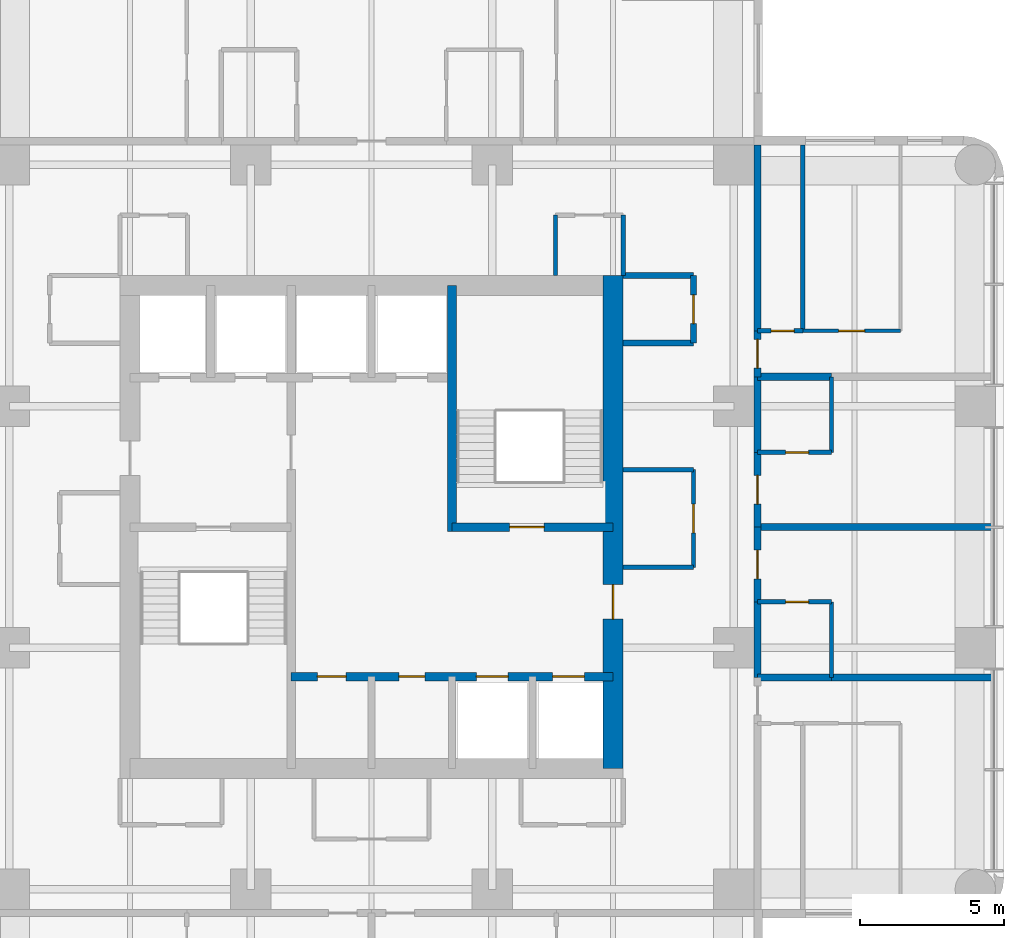
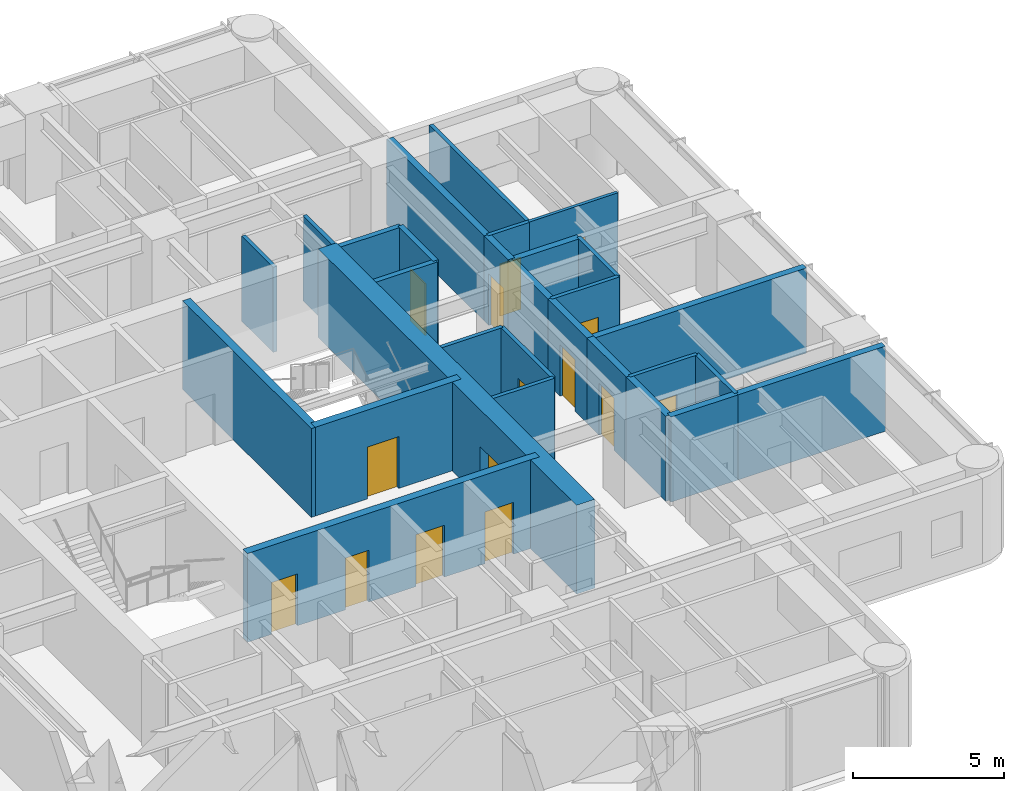
# One storey, part 8 of 11: 29 walls, 15 doors, 15 openings.
"""IFC4 building model written with IfcOpenShell, lengths in metres."""

from ifc_helpers import new_model, si_unit, direction, frame, frame_2d, origin, place, context, subcontext, project, spatial, rectangle, extrude, material, layer, layer_set, type_object, element, fill, save


model = new_model("IFC4")

# Units and contexts
model_context = context("Model", 3, precision=1e-05, world=origin(), true_north=direction((0.0, 1.0)))
body_context = subcontext(model_context, "Body", "Model", "MODEL_VIEW")
ifc_project = project(units=[si_unit("LENGTHUNIT", "METRE"), si_unit("AREAUNIT", "SQUARE_METRE"), si_unit("VOLUMEUNIT", "CUBIC_METRE"), si_unit("PLANEANGLEUNIT", "RADIAN"), si_unit("MASSUNIT", "GRAM", prefix="KILO")], contexts=[model_context])

# Site, building, storey
site_placement = place(None, origin())
site = spatial("IfcSite", under=ifc_project, at=site_placement, CompositionType="ELEMENT")
building_placement = place(site_placement, origin())
building = spatial("IfcBuilding", under=site, at=building_placement, Name="Torre Alcanfor", CompositionType="ELEMENT")
storey_placement = place(building_placement, frame((0.0, 0.0, 230.10009765625)))
storey = spatial("IfcBuildingStorey", under=building, at=storey_placement, Name="L60", CompositionType="ELEMENT", Elevation=230.10009765625)

# Wall, opening, door
ifc_material_1 = material(Name="Concrete block masonry, hollow blocks NMX-C-404 9 MPa", Category="masonry")
ifc_layer_1 = layer(ifc_material_1, 0.25)
ifc_layer_set_1 = layer_set([ifc_layer_1], Name="Apartment entrance wall 250 EI 60")
wall_type_1 = type_object("IfcWallType", Name="Apartment entrance wall 250 EI 60", PredefinedType="PARTITIONING", material=ifc_layer_set_1)
wall_1_placement = place(storey_placement, frame((42.824951171875, 32.0, 0.0), z_axis=(0.0, 0.0, 1.0), x_axis=(0.0, -1.0, 0.0)))
wall_1 = element("IfcWall", 1, at=wall_1_placement, inside=storey, type_object=wall_type_1, Name="Partition L60-CORR / L60-E1A-STUDIO", PredefinedType="PARTITIONING", context=body_context, shape_type="SweptSolid", body=[
    extrude(rectangle(XDim=2.60009765625, YDim=0.25, at=frame_2d((1.300048828125, 0.0))), origin(), (0.0, 0.0, 1.0), 3.449951171875),
])
opening_1_placement = place(wall_1_placement, frame((0.800048828125, 0.0, 0.0)))
opening_1 = element("IfcOpeningElement", 2, at=opening_1_placement, cuts=wall_1, Name="Opening D-A1", PredefinedType="OPENING", context=body_context, shape_type="SweptSolid", body=[
    extrude(rectangle(XDim=1.0, YDim=2.10009765625, at=frame_2d((0.5, 1.050048828125))), frame((0.0, 0.135009765625, 0.0), z_axis=(0.0, -1.0, 0.0), x_axis=(1.0, 0.0, 0.0)), (0.0, 0.0, 1.0), 0.27001953125),
])
ifc_material_2 = material(Name="Galvanised steel sheet ASTM A653", Category="steel")
door_type_1 = type_object("IfcDoorType", Name="Apartment entrance door FD60 1000x2100", OperationType="SINGLE_SWING_LEFT", PredefinedType="DOOR", material=ifc_material_2)
door_1_placement = place(opening_1_placement, origin())
door_1 = element("IfcDoor", 3, at=door_1_placement, inside=storey, type_object=door_type_1, Name="Apartment entrance L60-E1A", OperationType="SINGLE_SWING_LEFT", OverallHeight=2.10009765625, OverallWidth=1.0, PredefinedType="DOOR", context=body_context, shape_type="SweptSolid", body=[
    extrude(rectangle(XDim=1.0, YDim=2.10009765625, at=frame_2d((0.5, 1.050048828125))), frame((0.0, 0.02490234375, 0.0), z_axis=(0.0, -1.0, 0.0), x_axis=(1.0, 0.0, 0.0)), (0.0, 0.0, 1.0), 0.050048828125),
])
fill(opening_1, door_1)

# Wall
wall_2_placement = place(storey_placement, frame((42.824951171875, 34.62890625, 0.0), z_axis=(0.0, 0.0, 1.0), x_axis=(0.0, -1.0, 0.0)))
element("IfcWall", 4, at=wall_2_placement, inside=storey, type_object=wall_type_1, Name="Partition L60-CORR / L60-E1A-BATH", PredefinedType="PARTITIONING", context=body_context, shape_type="SweptSolid", body=[
    extrude(rectangle(XDim=2.62890625, YDim=0.25, at=frame_2d((1.314453125, 0.0))), origin(), (0.0, 0.0, 1.0), 3.449951171875),
])

# Wall, opening, door
wall_3_placement = place(storey_placement, frame((42.824951171875, 36.22900390625, 0.0), z_axis=(0.0, 0.0, 1.0), x_axis=(0.0, -1.0, 0.0)))
wall_3 = element("IfcWall", 5, at=wall_3_placement, inside=storey, type_object=wall_type_1, Name="Partition L60-CORR / L60-E1B-LIVING", PredefinedType="PARTITIONING", context=body_context, shape_type="SweptSolid", body=[
    extrude(rectangle(XDim=1.60009765625, YDim=0.25, at=frame_2d((0.800048828125, 0.0))), origin(), (0.0, 0.0, 1.0), 3.449951171875),
])
opening_2_placement = place(wall_3_placement, frame((0.300048828125, 0.0, 0.0)))
opening_2 = element("IfcOpeningElement", 6, at=opening_2_placement, cuts=wall_3, Name="Opening D-A1", PredefinedType="OPENING", context=body_context, shape_type="SweptSolid", body=[
    extrude(rectangle(XDim=1.0, YDim=2.10009765625, at=frame_2d((0.5, 1.050048828125))), frame((0.0, 0.135009765625, 0.0), z_axis=(0.0, -1.0, 0.0), x_axis=(1.0, 0.0, 0.0)), (0.0, 0.0, 1.0), 0.27001953125),
])
door_2_placement = place(opening_2_placement, origin())
door_2 = element("IfcDoor", 7, at=door_2_placement, inside=storey, type_object=door_type_1, Name="Apartment entrance L60-E1B", OperationType="SINGLE_SWING_LEFT", OverallHeight=2.10009765625, OverallWidth=1.0, PredefinedType="DOOR", context=body_context, shape_type="SweptSolid", body=[
    extrude(rectangle(XDim=1.0, YDim=2.10009765625, at=frame_2d((0.5, 1.050048828125))), frame((0.0, 0.02490234375, 0.0), z_axis=(0.0, -1.0, 0.0), x_axis=(1.0, 0.0, 0.0)), (0.0, 0.0, 1.0), 0.050048828125),
])
fill(opening_2, door_2)

# Wall
wall_4_placement = place(storey_placement, frame((42.824951171875, 42.699951171875, 0.0), z_axis=(0.0, 0.0, 1.0), x_axis=(0.0, -1.0, 0.0)))
element("IfcWall", 8, at=wall_4_placement, inside=storey, type_object=wall_type_1, Name="Partition L60-CORR / L60-E1B-BATH", PredefinedType="PARTITIONING", context=body_context, shape_type="SweptSolid", body=[
    extrude(rectangle(XDim=6.470947265625, YDim=0.25, at=frame_2d((3.2353515625, 0.0))), origin(), (0.0, 0.0, 1.0), 3.449951171875),
])

# Wall, opening, door
wall_5_placement = place(storey_placement, frame((42.824951171875, 29.39990234375, 0.0), z_axis=(0.0, 0.0, 1.0), x_axis=(0.0, -1.0, 0.0)))
wall_5 = element("IfcWall", 9, at=wall_5_placement, inside=storey, type_object=wall_type_1, Name="Partition L60-CORR / L60-E2A-STUDIO", PredefinedType="PARTITIONING", context=body_context, shape_type="SweptSolid", body=[
    extrude(rectangle(XDim=2.599853515625, YDim=0.25, at=frame_2d((1.2998046875, 0.0))), origin(), (0.0, 0.0, 1.0), 3.449951171875),
])
opening_3_placement = place(wall_5_placement, frame((0.800048828125, 0.0, 0.0)))
opening_3 = element("IfcOpeningElement", 10, at=opening_3_placement, cuts=wall_5, Name="Opening D-A1", PredefinedType="OPENING", context=body_context, shape_type="SweptSolid", body=[
    extrude(rectangle(XDim=1.0, YDim=2.10009765625, at=frame_2d((0.5, 1.050048828125))), frame((0.0, 0.135009765625, 0.0), z_axis=(0.0, -1.0, 0.0), x_axis=(1.0, 0.0, 0.0)), (0.0, 0.0, 1.0), 0.27001953125),
])
door_3_placement = place(opening_3_placement, origin())
door_3 = element("IfcDoor", 11, at=door_3_placement, inside=storey, type_object=door_type_1, Name="Apartment entrance L60-E2A", OperationType="SINGLE_SWING_LEFT", OverallHeight=2.10009765625, OverallWidth=1.0, PredefinedType="DOOR", context=body_context, shape_type="SweptSolid", body=[
    extrude(rectangle(XDim=1.0, YDim=2.10009765625, at=frame_2d((0.5, 1.050048828125))), frame((0.0, 0.02490234375, 0.0), z_axis=(0.0, -1.0, 0.0), x_axis=(1.0, 0.0, 0.0)), (0.0, 0.0, 1.0), 0.050048828125),
])
fill(opening_3, door_3)

# Wall
wall_6_placement = place(storey_placement, frame((42.824951171875, 26.800048828125, 0.0), z_axis=(0.0, 0.0, 1.0), x_axis=(0.0, -1.0, 0.0)))
element("IfcWall", 12, at=wall_6_placement, inside=storey, type_object=wall_type_1, Name="Partition L60-CORR / L60-E2A-BATH", PredefinedType="PARTITIONING", context=body_context, shape_type="SweptSolid", body=[
    extrude(rectangle(XDim=2.629150390625, YDim=0.25, at=frame_2d((1.314453125, 0.0))), origin(), (0.0, 0.0, 1.0), 3.449951171875),
])

# Wall, opening, door
ifc_material_3 = material(Name="Gypsum board on steel studs", Category="steel")
ifc_layer_2 = layer(ifc_material_3, 0.1201171875)
ifc_layer_set_2 = layer_set([ifc_layer_2], Name="Apartment partition 120")
wall_type_2 = type_object("IfcWallType", Name="Apartment partition 120", PredefinedType="PARTITIONING", material=ifc_layer_set_2)
wall_7_placement = place(storey_placement, frame((44.39990234375, 36.22900390625, 0.0), z_axis=(0.0, 0.0, 1.0), x_axis=(1.0, 0.0, 0.0)))
wall_7 = element("IfcWall", 13, at=wall_7_placement, inside=storey, type_object=wall_type_2, Name="Partition L60-E1B-LIVING / L60-E1B-MASTER", PredefinedType="PARTITIONING", context=body_context, shape_type="SweptSolid", body=[
    extrude(rectangle(XDim=3.400146484375, YDim=0.1201171875, at=frame_2d((1.7001953125, 0.0))), origin(), (0.0, 0.0, 1.0), 3.449951171875),
])
opening_4_placement = place(wall_7_placement, frame((1.25, 0.0, 0.0)))
opening_4 = element("IfcOpeningElement", 14, at=opening_4_placement, cuts=wall_7, Name="Opening D-R1", PredefinedType="OPENING", context=body_context, shape_type="SweptSolid", body=[
    extrude(rectangle(XDim=0.89990234375, YDim=2.10009765625, at=frame_2d((0.449951171875, 1.050048828125))), frame((0.0, 0.070068359375, 0.0), z_axis=(0.0, -1.0, 0.0), x_axis=(1.0, 0.0, 0.0)), (0.0, 0.0, 1.0), 0.14013671875),
])
ifc_material_4 = material(Name="Timber", Category="wood")
door_type_2 = type_object("IfcDoorType", Name="Internal door 900x2100", OperationType="SINGLE_SWING_LEFT", PredefinedType="DOOR", material=ifc_material_4)
door_4_placement = place(opening_4_placement, origin())
door_4 = element("IfcDoor", 15, at=door_4_placement, inside=storey, type_object=door_type_2, Name="Door L60-E1B master", OperationType="SINGLE_SWING_LEFT", OverallHeight=2.10009765625, OverallWidth=0.89990234375, PredefinedType="DOOR", context=body_context, shape_type="SweptSolid", body=[
    extrude(rectangle(XDim=0.89990234375, YDim=2.10009765625, at=frame_2d((0.449951171875, 1.050048828125))), frame((0.0, 0.02490234375, 0.0), z_axis=(0.0, -1.0, 0.0), x_axis=(1.0, 0.0, 0.0)), (0.0, 0.0, 1.0), 0.050048828125),
])
fill(opening_4, door_4)

# Wall, openings, doors
ifc_material_5 = material(Name="Concrete f'c 70 MPa", Category="concrete")
ifc_layer_3 = layer(ifc_material_5, 0.300048828125)
ifc_layer_set_3 = layer_set([ifc_layer_3], Name="Core inner wall 300 f'c70")
wall_type_3 = type_object("IfcWallType", Name="Core inner wall 300 f'c70", PredefinedType="SHEAR", material=ifc_layer_set_3)
wall_8_placement = place(storey_placement, frame((26.60009765625, 24.199951171875, 0.0), z_axis=(0.0, 0.0, 1.0), x_axis=(1.0, 0.0, 0.0)))
wall_8 = element("IfcWall", 16, at=wall_8_placement, inside=storey, type_object=wall_type_3, Name="Core wall Y242 L60", PredefinedType="SHEAR", context=body_context, shape_type="SweptSolid", body=[
    extrude(rectangle(XDim=11.199951171875, YDim=0.300048828125, at=frame_2d((5.60009765625, 0.0))), origin(), (0.0, 0.0, 1.0), 3.599853515625),
])
opening_5_placement = place(wall_8_placement, frame((0.91259765625, 0.0, 0.0)))
opening_5 = element("IfcOpeningElement", 17, at=opening_5_placement, cuts=wall_8, Name="Opening D-K1", PredefinedType="OPENING", context=body_context, shape_type="SweptSolid", body=[
    extrude(rectangle(XDim=1.0, YDim=2.10009765625, at=frame_2d((0.5, 1.050048828125))), frame((0.0, 0.159912109375, 0.0), z_axis=(0.0, -1.0, 0.0), x_axis=(1.0, 0.0, 0.0)), (0.0, 0.0, 1.0), 0.320068359375),
])
opening_6_placement = place(wall_8_placement, frame((3.75, 0.0, 0.0)))
opening_6 = element("IfcOpeningElement", 18, at=opening_6_placement, cuts=wall_8, Name="Opening D-Q1", PredefinedType="OPENING", context=body_context, shape_type="SweptSolid", body=[
    extrude(rectangle(XDim=0.89990234375, YDim=2.10009765625, at=frame_2d((0.449951171875, 1.050048828125))), frame((0.0, 0.159912109375, 0.0), z_axis=(0.0, -1.0, 0.0), x_axis=(1.0, 0.0, 0.0)), (0.0, 0.0, 1.0), 0.320068359375),
])
opening_7_placement = place(wall_8_placement, frame((6.449951171875, 0.0, 0.0)))
opening_7 = element("IfcOpeningElement", 19, at=opening_7_placement, cuts=wall_8, Name="Opening LD1", PredefinedType="OPENING", context=body_context, shape_type="SweptSolid", body=[
    extrude(rectangle(XDim=1.10009765625, YDim=2.10009765625, at=frame_2d((0.550048828125, 1.050048828125))), frame((0.0, 0.159912109375, 0.0), z_axis=(0.0, -1.0, 0.0), x_axis=(1.0, 0.0, 0.0)), (0.0, 0.0, 1.0), 0.320068359375),
])
opening_8_placement = place(wall_8_placement, frame((9.10009765625, 0.0, 0.0)))
opening_8 = element("IfcOpeningElement", 20, at=opening_8_placement, cuts=wall_8, Name="Opening LD1", PredefinedType="OPENING", context=body_context, shape_type="SweptSolid", body=[
    extrude(rectangle(XDim=1.10009765625, YDim=2.10009765625, at=frame_2d((0.550048828125, 1.050048828125))), frame((0.0, 0.159912109375, 0.0), z_axis=(0.0, -1.0, 0.0), x_axis=(1.0, 0.0, 0.0)), (0.0, 0.0, 1.0), 0.320068359375),
])
ifc_material_6 = material(Name="Galvanised steel sheet ASTM A653", Category="steel")
door_type_3 = type_object("IfcDoorType", Name="Core room door FD60 1000x2100", OperationType="SINGLE_SWING_LEFT", PredefinedType="DOOR", material=ifc_material_6)
door_5_placement = place(opening_5_placement, frame((1.0, 0.0, 0.0), z_axis=(0.0, 0.0, 1.0), x_axis=(-1.0, 0.0, 0.0)))
door_5 = element("IfcDoor", 21, at=door_5_placement, inside=storey, type_object=door_type_3, Name="Linen store door L60", OperationType="SINGLE_SWING_RIGHT", OverallHeight=2.10009765625, OverallWidth=1.0, PredefinedType="DOOR", context=body_context, shape_type="SweptSolid", body=[
    extrude(rectangle(XDim=1.0, YDim=2.10009765625, at=frame_2d((0.5, 1.050048828125))), frame((0.0, 0.025146484375, 0.0), z_axis=(0.0, -1.0, 0.0), x_axis=(1.0, 0.0, 0.0)), (0.0, 0.0, 1.0), 0.050048828125),
])
fill(opening_5, door_5)
ifc_material_7 = material(Name="Galvanised steel sheet ASTM A653", Category="steel")
door_type_4 = type_object("IfcDoorType", Name="Lift landing door 1100x2100", OperationType="DOUBLE_DOOR_SLIDING", PredefinedType="DOOR", material=ifc_material_7)
door_6_placement = place(opening_7_placement, origin())
door_6 = element("IfcDoor", 22, at=door_6_placement, inside=storey, type_object=door_type_4, Name="Lift landing door PA3 L60", OperationType="DOUBLE_DOOR_SLIDING", OverallHeight=2.10009765625, OverallWidth=1.10009765625, PredefinedType="DOOR", context=body_context, shape_type="SweptSolid", body=[
    extrude(rectangle(XDim=1.10009765625, YDim=2.10009765625, at=frame_2d((0.550048828125, 1.050048828125))), frame((0.0, 0.02490234375, 0.0), z_axis=(0.0, -1.0, 0.0), x_axis=(1.0, 0.0, 0.0)), (0.0, 0.0, 1.0), 0.050048828125),
])
fill(opening_7, door_6)
door_7_placement = place(opening_8_placement, origin())
door_7 = element("IfcDoor", 23, at=door_7_placement, inside=storey, type_object=door_type_4, Name="Lift landing door PA4 L60", OperationType="DOUBLE_DOOR_SLIDING", OverallHeight=2.10009765625, OverallWidth=1.10009765625, PredefinedType="DOOR", context=body_context, shape_type="SweptSolid", body=[
    extrude(rectangle(XDim=1.10009765625, YDim=2.10009765625, at=frame_2d((0.550048828125, 1.050048828125))), frame((0.0, 0.02490234375, 0.0), z_axis=(0.0, -1.0, 0.0), x_axis=(1.0, 0.0, 0.0)), (0.0, 0.0, 1.0), 0.050048828125),
])
fill(opening_8, door_7)
ifc_material_8 = material(Name="Galvanised steel sheet ASTM A653", Category="steel")
door_type_5 = type_object("IfcDoorType", Name="Riser access door FD120 900x2100", OperationType="SINGLE_SWING_LEFT", PredefinedType="DOOR", material=ifc_material_8)
door_8_placement = place(opening_6_placement, frame((0.89990234375, 0.0, 0.0), z_axis=(0.0, 0.0, 1.0), x_axis=(-1.0, 0.0, 0.0)))
door_8 = element("IfcDoor", 24, at=door_8_placement, inside=storey, type_object=door_type_5, Name="Riser door L60", OperationType="SINGLE_SWING_RIGHT", OverallHeight=2.10009765625, OverallWidth=0.89990234375, PredefinedType="DOOR", context=body_context, shape_type="SweptSolid", body=[
    extrude(rectangle(XDim=0.89990234375, YDim=2.10009765625, at=frame_2d((0.449951171875, 1.050048828125))), frame((0.0, 0.025146484375, 0.0), z_axis=(0.0, -1.0, 0.0), x_axis=(1.0, 0.0, 0.0)), (0.0, 0.0, 1.0), 0.050048828125),
])
fill(opening_6, door_8)

# Wall
wall_9_placement = place(storey_placement, frame((32.199951171875, 29.25, 0.0), z_axis=(0.0, 0.0, 1.0), x_axis=(0.0, 1.0, 0.0)))
element("IfcWall", 25, at=wall_9_placement, inside=storey, type_object=wall_type_3, Name="Core wall X322N L60", PredefinedType="SHEAR", context=body_context, shape_type="SweptSolid", body=[
    extrude(rectangle(XDim=8.550048828125, YDim=0.300048828125, at=frame_2d((4.27490234375, 0.0))), origin(), (0.0, 0.0, 1.0), 3.599853515625),
])

# Wall, opening, door
wall_10_placement = place(storey_placement, frame((32.199951171875, 29.39990234375, 0.0), z_axis=(0.0, 0.0, 1.0), x_axis=(1.0, 0.0, 0.0)))
wall_10 = element("IfcWall", 26, at=wall_10_placement, inside=storey, type_object=wall_type_3, Name="Core wall Y294E L60", PredefinedType="SHEAR", context=body_context, shape_type="SweptSolid", body=[
    extrude(rectangle(XDim=5.60009765625, YDim=0.300048828125, at=frame_2d((2.800048828125, 0.0))), origin(), (0.0, 0.0, 1.0), 3.599853515625),
])
opening_9_placement = place(wall_10_placement, frame((2.0, 0.0, 0.0)))
opening_9 = element("IfcOpeningElement", 27, at=opening_9_placement, cuts=wall_10, Name="Opening D-S2", PredefinedType="OPENING", context=body_context, shape_type="SweptSolid", body=[
    extrude(rectangle(XDim=1.199951171875, YDim=2.10009765625, at=frame_2d((0.60009765625, 1.050048828125))), frame((0.0, 0.159912109375, 0.0), z_axis=(0.0, -1.0, 0.0), x_axis=(1.0, 0.0, 0.0)), (0.0, 0.0, 1.0), 0.320068359375),
])
ifc_material_9 = material(Name="Galvanised steel sheet ASTM A653", Category="steel")
door_type_6 = type_object("IfcDoorType", Name="Stair enclosure door FD120 1200x2100", OperationType="SINGLE_SWING_LEFT", PredefinedType="DOOR", material=ifc_material_9)
door_9_placement = place(opening_9_placement, origin())
door_9 = element("IfcDoor", 28, at=door_9_placement, inside=storey, type_object=door_type_6, Name="Stair S2 door L60", OperationType="SINGLE_SWING_LEFT", OverallHeight=2.10009765625, OverallWidth=1.199951171875, PredefinedType="DOOR", context=body_context, shape_type="SweptSolid", body=[
    extrude(rectangle(XDim=1.199951171875, YDim=2.10009765625, at=frame_2d((0.60009765625, 1.050048828125))), frame((0.0, 0.02490234375, 0.0), z_axis=(0.0, -1.0, 0.0), x_axis=(1.0, 0.0, 0.0)), (0.0, 0.0, 1.0), 0.050048828125),
])
fill(opening_9, door_9)

ifc_material_10 = material(Name="Concrete f'c 70 MPa", Category="concrete")
ifc_layer_4 = layer(ifc_material_10, 0.699951171875)
ifc_layer_set_4 = layer_set([ifc_layer_4], Name="Core wall 700 f'c70")
wall_type_4 = type_object("IfcWallType", Name="Core wall 700 f'c70", PredefinedType="SHEAR", material=ifc_layer_set_4)
wall_11_placement = place(storey_placement, frame((37.800048828125, 21.0, 0.0), z_axis=(0.0, 0.0, 1.0), x_axis=(0.0, 1.0, 0.0)))
wall_11 = element("IfcWall", 29, at=wall_11_placement, inside=storey, type_object=wall_type_4, Name="Core wall OUT-E L60", PredefinedType="SHEAR", context=body_context, shape_type="SweptSolid", body=[
    extrude(rectangle(XDim=17.14990234375, YDim=0.699951171875, at=frame_2d((8.574951171875, 0.0))), origin(), (0.0, 0.0, 1.0), 3.599853515625),
])
opening_10_placement = place(wall_11_placement, frame((5.199951171875, 0.0, 0.0)))
opening_10 = element("IfcOpeningElement", 30, at=opening_10_placement, cuts=wall_11, Name="Opening D-L1", PredefinedType="OPENING", context=body_context, shape_type="SweptSolid", body=[
    extrude(rectangle(XDim=1.199951171875, YDim=2.10009765625, at=frame_2d((0.60009765625, 1.050048828125))), frame((0.0, 0.35986328125, 0.0), z_axis=(0.0, -1.0, 0.0), x_axis=(1.0, 0.0, 0.0)), (0.0, 0.0, 1.0), 0.719970703125),
])
ifc_material_11 = material(Name="Galvanised steel sheet ASTM A653", Category="steel")
door_type_7 = type_object("IfcDoorType", Name="Lobby door FD120 1200x2100", OperationType="SINGLE_SWING_LEFT", PredefinedType="DOOR", material=ifc_material_11)
door_10_placement = place(opening_10_placement, origin())
door_10 = element("IfcDoor", 31, at=door_10_placement, inside=storey, type_object=door_type_7, Name="Lift lobby entrance door L60", OperationType="SINGLE_SWING_LEFT", OverallHeight=2.10009765625, OverallWidth=1.199951171875, PredefinedType="DOOR", context=body_context, shape_type="SweptSolid", body=[
    extrude(rectangle(XDim=1.199951171875, YDim=2.10009765625, at=frame_2d((0.60009765625, 1.050048828125))), frame((0.0, 0.02490234375, 0.0), z_axis=(0.0, -1.0, 0.0), x_axis=(1.0, 0.0, 0.0)), (0.0, 0.0, 1.0), 0.050048828125),
])
fill(opening_10, door_10)

# Walls
ifc_material_12 = material(Name="Concrete block masonry, hollow blocks NMX-C-404 9 MPa", Category="masonry")
ifc_layer_5 = layer(ifc_material_12, 0.25)
ifc_layer_set_5 = layer_set([ifc_layer_5], Name="Party wall 250 EI 60")
wall_type_5 = type_object("IfcWallType", Name="Party wall 250 EI 60", PredefinedType="PARTITIONING", material=ifc_layer_set_5)
wall_12_placement = place(storey_placement, frame((51.050048828125, 29.39990234375, 0.0), z_axis=(0.0, 0.0, 1.0), x_axis=(-1.0, 0.0, 0.0)))
element("IfcWall", 32, at=wall_12_placement, inside=storey, type_object=wall_type_5, Name="Partition L60-E1A-STUDIO / L60-E2A-STUDIO", PredefinedType="PARTITIONING", context=body_context, shape_type="SweptSolid", body=[
    extrude(rectangle(XDim=8.22509765625, YDim=0.25, at=frame_2d((4.112548828125, 0.0))), origin(), (0.0, 0.0, 1.0), 3.449951171875),
])
wall_13_placement = place(storey_placement, frame((45.39990234375, 34.62890625, 0.0), z_axis=(0.0, 0.0, 1.0), x_axis=(-1.0, 0.0, 0.0)))
element("IfcWall", 33, at=wall_13_placement, inside=storey, type_object=wall_type_5, Name="Partition L60-E1A-BATH / L60-E1B-LIVING", PredefinedType="PARTITIONING", context=body_context, shape_type="SweptSolid", body=[
    extrude(rectangle(XDim=2.574951171875, YDim=0.25, at=frame_2d((1.28759765625, 0.0))), origin(), (0.0, 0.0, 1.0), 3.449951171875),
])
wall_14_placement = place(storey_placement, frame((51.050048828125, 24.1708984375, 0.0), z_axis=(0.0, 0.0, 1.0), x_axis=(-1.0, 0.0, 0.0)))
element("IfcWall", 34, at=wall_14_placement, inside=storey, type_object=wall_type_5, Name="Partition L60-E2A-STUDIO / L60-E2B-LIVING", PredefinedType="PARTITIONING", context=body_context, shape_type="SweptSolid", body=[
    extrude(rectangle(XDim=5.650146484375, YDim=0.25, at=frame_2d((2.8251953125, 0.0))), origin(), (0.0, 0.0, 1.0), 3.449951171875),
])
wall_15_placement = place(storey_placement, frame((45.39990234375, 24.1708984375, 0.0), z_axis=(0.0, 0.0, 1.0), x_axis=(-1.0, 0.0, 0.0)))
element("IfcWall", 35, at=wall_15_placement, inside=storey, type_object=wall_type_5, Name="Partition L60-E2A-BATH / L60-E2B-LIVING", PredefinedType="PARTITIONING", context=body_context, shape_type="SweptSolid", body=[
    extrude(rectangle(XDim=2.574951171875, YDim=0.25, at=frame_2d((1.28759765625, 0.0))), origin(), (0.0, 0.0, 1.0), 3.449951171875),
])
ifc_material_13 = material(Name="Concrete block masonry, hollow blocks NMX-C-404 9 MPa", Category="masonry")
ifc_layer_6 = layer(ifc_material_13, 0.199951171875)
ifc_layer_set_6 = layer_set([ifc_layer_6], Name="Plant room wall 200 EI 60")
wall_type_6 = type_object("IfcWallType", Name="Plant room wall 200 EI 60", PredefinedType="PARTITIONING", material=ifc_layer_set_6)
wall_16_placement = place(storey_placement, frame((38.14990234375, 35.800048828125, 0.0), z_axis=(0.0, 0.0, 1.0), x_axis=(1.0, 0.0, 0.0)))
element("IfcWall", 36, at=wall_16_placement, inside=storey, type_object=wall_type_6, Name="Partition L60-CORR / L60-G04", PredefinedType="PARTITIONING", context=body_context, shape_type="SweptSolid", body=[
    extrude(rectangle(XDim=2.4501953125, YDim=0.199951171875, at=frame_2d((1.22509765625, 0.0))), origin(), (0.0, 0.0, 1.0), 3.449951171875),
])

# Wall, opening, door
wall_17_placement = place(storey_placement, frame((40.60009765625, 35.800048828125, 0.0), z_axis=(0.0, 0.0, 1.0), x_axis=(0.0, 1.0, 0.0)))
wall_17 = element("IfcWall", 37, at=wall_17_placement, inside=storey, type_object=wall_type_6, Name="Partition L60-CORR / L60-G04", PredefinedType="PARTITIONING", context=body_context, shape_type="SweptSolid", body=[
    extrude(rectangle(XDim=2.349853515625, YDim=0.199951171875, at=frame_2d((1.1748046875, 0.0))), origin(), (0.0, 0.0, 1.0), 3.449951171875),
])
opening_11_placement = place(wall_17_placement, frame((0.675048828125, 0.0, 0.0)))
opening_11 = element("IfcOpeningElement", 38, at=opening_11_placement, cuts=wall_17, Name="Opening D-K1", PredefinedType="OPENING", context=body_context, shape_type="SweptSolid", body=[
    extrude(rectangle(XDim=1.0, YDim=2.10009765625, at=frame_2d((0.5, 1.050048828125))), frame((0.0, 0.10986328125, 0.0), z_axis=(0.0, -1.0, 0.0), x_axis=(1.0, 0.0, 0.0)), (0.0, 0.0, 1.0), 0.219970703125),
])
door_11_placement = place(opening_11_placement, origin())
door_11 = element("IfcDoor", 39, at=door_11_placement, inside=storey, type_object=door_type_3, Name="Door L60-G04 refuse and recycling store", OperationType="SINGLE_SWING_LEFT", OverallHeight=2.10009765625, OverallWidth=1.0, PredefinedType="DOOR", context=body_context, shape_type="SweptSolid", body=[
    extrude(rectangle(XDim=1.0, YDim=2.10009765625, at=frame_2d((0.5, 1.050048828125))), frame((0.0, 0.02490234375, 0.0), z_axis=(0.0, -1.0, 0.0), x_axis=(1.0, 0.0, 0.0)), (0.0, 0.0, 1.0), 0.050048828125),
])
fill(opening_11, door_11)

# Walls
wall_18_placement = place(storey_placement, frame((40.60009765625, 38.14990234375, 0.0), z_axis=(0.0, 0.0, 1.0), x_axis=(-1.0, 0.0, 0.0)))
element("IfcWall", 40, at=wall_18_placement, inside=storey, type_object=wall_type_6, Name="Partition L60-CORR / L60-G04", PredefinedType="PARTITIONING", context=body_context, shape_type="SweptSolid", body=[
    extrude(rectangle(XDim=2.4501953125, YDim=0.199951171875, at=frame_2d((1.22509765625, 0.0))), origin(), (0.0, 0.0, 1.0), 3.449951171875),
])
ifc_material_14 = material(Name="Concrete block masonry, hollow blocks NMX-C-404 9 MPa", Category="masonry")
ifc_layer_7 = layer(ifc_material_14, 0.14990234375)
ifc_layer_set_7 = layer_set([ifc_layer_7], Name="Residents' room partition 150")
wall_type_7 = type_object("IfcWallType", Name="Residents' room partition 150", PredefinedType="PARTITIONING", material=ifc_layer_set_7)
for number, where, z_axis, x_axis, name in (
    (41, (38.14990234375, 38.14990234375, 0.0), (0.0, 0.0, 1.0), (0.0, 1.0, 0.0), "Partition L60-CORR / L60-G02"),
    (42, (35.800048828125, 40.25, 0.0), (0.0, 0.0, 1.0), (0.0, -1.0, 0.0), "Partition L60-CORR / L60-G02"),
):
    element("IfcWall", number, at=place(storey_placement, frame(where, z_axis=z_axis, x_axis=x_axis)), inside=storey, type_object=wall_type_7, Name=name, PredefinedType="PARTITIONING", context=body_context, shape_type="SweptSolid", body=[
        extrude(rectangle(XDim=2.10009765625, YDim=0.14990234375, at=frame_2d((1.050048828125, 0.0))), origin(), (0.0, 0.0, 1.0), 3.449951171875),
    ])
wall_19_placement = place(storey_placement, frame((38.14990234375, 28.0, 0.0), z_axis=(0.0, 0.0, 1.0), x_axis=(1.0, 0.0, 0.0)))
element("IfcWall", 43, at=wall_19_placement, inside=storey, type_object=wall_type_7, Name="Partition L60-CORR / L60-G03", PredefinedType="PARTITIONING", context=body_context, shape_type="SweptSolid", body=[
    extrude(rectangle(XDim=2.4501953125, YDim=0.14990234375, at=frame_2d((1.22509765625, 0.0))), origin(), (0.0, 0.0, 1.0), 3.449951171875),
])

# Wall, opening, door
wall_20_placement = place(storey_placement, frame((40.60009765625, 28.0, 0.0), z_axis=(0.0, 0.0, 1.0), x_axis=(0.0, 1.0, 0.0)))
wall_20 = element("IfcWall", 44, at=wall_20_placement, inside=storey, type_object=wall_type_7, Name="Partition L60-CORR / L60-G03", PredefinedType="PARTITIONING", context=body_context, shape_type="SweptSolid", body=[
    extrude(rectangle(XDim=3.39990234375, YDim=0.14990234375, at=frame_2d((1.699951171875, 0.0))), origin(), (0.0, 0.0, 1.0), 3.449951171875),
])
opening_12_placement = place(wall_20_placement, frame((1.199951171875, 0.0, 0.0)))
opening_12 = element("IfcOpeningElement", 45, at=opening_12_placement, cuts=wall_20, Name="Opening D-M1", PredefinedType="OPENING", context=body_context, shape_type="SweptSolid", body=[
    extrude(rectangle(XDim=1.0, YDim=2.10009765625, at=frame_2d((0.5, 1.050048828125))), frame((0.0, 0.0849609375, 0.0), z_axis=(0.0, -1.0, 0.0), x_axis=(1.0, 0.0, 0.0)), (0.0, 0.0, 1.0), 0.169921875),
])
ifc_material_15 = material(Name="Timber", Category="wood")
door_type_8 = type_object("IfcDoorType", Name="Residents' room door 1000x2100", OperationType="SINGLE_SWING_LEFT", PredefinedType="DOOR", material=ifc_material_15)
door_12_placement = place(opening_12_placement, origin())
door_12 = element("IfcDoor", 46, at=door_12_placement, inside=storey, type_object=door_type_8, Name="Door L60-G03 linen store", OperationType="SINGLE_SWING_LEFT", OverallHeight=2.10009765625, OverallWidth=1.0, PredefinedType="DOOR", context=body_context, shape_type="SweptSolid", body=[
    extrude(rectangle(XDim=1.0, YDim=2.10009765625, at=frame_2d((0.5, 1.050048828125))), frame((0.0, 0.02490234375, 0.0), z_axis=(0.0, -1.0, 0.0), x_axis=(1.0, 0.0, 0.0)), (0.0, 0.0, 1.0), 0.050048828125),
])
fill(opening_12, door_12)

# Wall
wall_21_placement = place(storey_placement, frame((40.60009765625, 31.39990234375, 0.0), z_axis=(0.0, 0.0, 1.0), x_axis=(-1.0, 0.0, 0.0)))
element("IfcWall", 47, at=wall_21_placement, inside=storey, type_object=wall_type_7, Name="Partition L60-CORR / L60-G03", PredefinedType="PARTITIONING", context=body_context, shape_type="SweptSolid", body=[
    extrude(rectangle(XDim=2.4501953125, YDim=0.14990234375, at=frame_2d((1.22509765625, 0.0))), origin(), (0.0, 0.0, 1.0), 3.449951171875),
])

# Wall, opening, door
ifc_material_16 = material(Name="Cement board on steel studs", Category="steel")
ifc_layer_8 = layer(ifc_material_16, 0.14990234375)
ifc_layer_set_8 = layer_set([ifc_layer_8], Name="Wet area partition 150")
wall_type_8 = type_object("IfcWallType", Name="Wet area partition 150", PredefinedType="PARTITIONING", material=ifc_layer_set_8)
wall_22_placement = place(storey_placement, frame((42.824951171875, 32.0, 0.0), z_axis=(0.0, 0.0, 1.0), x_axis=(1.0, 0.0, 0.0)))
wall_22 = element("IfcWall", 48, at=wall_22_placement, inside=storey, type_object=wall_type_8, Name="Partition L60-E1A-STUDIO / L60-E1A-BATH", PredefinedType="PARTITIONING", context=body_context, shape_type="SweptSolid", body=[
    extrude(rectangle(XDim=2.574951171875, YDim=0.14990234375, at=frame_2d((1.28759765625, 0.0))), origin(), (0.0, 0.0, 1.0), 3.449951171875),
])
opening_13_placement = place(wall_22_placement, frame((0.97509765625, 0.0, 0.0)))
opening_13 = element("IfcOpeningElement", 49, at=opening_13_placement, cuts=wall_22, Name="Opening D-R2", PredefinedType="OPENING", context=body_context, shape_type="SweptSolid", body=[
    extrude(rectangle(XDim=0.800048828125, YDim=2.10009765625, at=frame_2d((0.39990234375, 1.050048828125))), frame((0.0, 0.0849609375, 0.0), z_axis=(0.0, -1.0, 0.0), x_axis=(1.0, 0.0, 0.0)), (0.0, 0.0, 1.0), 0.169921875),
])
ifc_material_17 = material(Name="Timber", Category="wood")
door_type_9 = type_object("IfcDoorType", Name="Bathroom door 800x2100", OperationType="SINGLE_SWING_LEFT", PredefinedType="DOOR", material=ifc_material_17)
door_13_placement = place(opening_13_placement, origin())
door_13 = element("IfcDoor", 50, at=door_13_placement, inside=storey, type_object=door_type_9, Name="Door L60-E1A bath", OperationType="SINGLE_SWING_RIGHT", OverallHeight=2.10009765625, OverallWidth=0.800048828125, PredefinedType="DOOR", context=body_context, shape_type="SweptSolid", body=[
    extrude(rectangle(XDim=0.800048828125, YDim=2.10009765625, at=frame_2d((0.39990234375, 1.050048828125))), frame((0.0, 0.02490234375, 0.0), z_axis=(0.0, -1.0, 0.0), x_axis=(1.0, 0.0, 0.0)), (0.0, 0.0, 1.0), 0.050048828125),
])
fill(opening_13, door_13)

# Wall
wall_23_placement = place(storey_placement, frame((45.39990234375, 32.0, 0.0), z_axis=(0.0, 0.0, 1.0), x_axis=(0.0, 1.0, 0.0)))
element("IfcWall", 51, at=wall_23_placement, inside=storey, type_object=wall_type_8, Name="Partition L60-E1A-STUDIO / L60-E1A-BATH", PredefinedType="PARTITIONING", context=body_context, shape_type="SweptSolid", body=[
    extrude(rectangle(XDim=2.62890625, YDim=0.14990234375, at=frame_2d((1.314453125, 0.0))), origin(), (0.0, 0.0, 1.0), 3.449951171875),
])

# Wall, opening, door
wall_24_placement = place(storey_placement, frame((42.824951171875, 36.22900390625, 0.0), z_axis=(0.0, 0.0, 1.0), x_axis=(1.0, 0.0, 0.0)))
wall_24 = element("IfcWall", 52, at=wall_24_placement, inside=storey, type_object=wall_type_8, Name="Partition L60-E1B-LIVING / L60-E1B-BATH", PredefinedType="PARTITIONING", context=body_context, shape_type="SweptSolid", body=[
    extrude(rectangle(XDim=1.574951171875, YDim=0.14990234375, at=frame_2d((0.78759765625, 0.0))), origin(), (0.0, 0.0, 1.0), 3.449951171875),
])
opening_14_placement = place(wall_24_placement, frame((0.47509765625, 0.0, 0.0)))
opening_14 = element("IfcOpeningElement", 53, at=opening_14_placement, cuts=wall_24, Name="Opening D-R2", PredefinedType="OPENING", context=body_context, shape_type="SweptSolid", body=[
    extrude(rectangle(XDim=0.800048828125, YDim=2.10009765625, at=frame_2d((0.39990234375, 1.050048828125))), frame((0.0, 0.0849609375, 0.0), z_axis=(0.0, -1.0, 0.0), x_axis=(1.0, 0.0, 0.0)), (0.0, 0.0, 1.0), 0.169921875),
])
door_14_placement = place(opening_14_placement, origin())
door_14 = element("IfcDoor", 54, at=door_14_placement, inside=storey, type_object=door_type_9, Name="Door L60-E1B bath", OperationType="SINGLE_SWING_RIGHT", OverallHeight=2.10009765625, OverallWidth=0.800048828125, PredefinedType="DOOR", context=body_context, shape_type="SweptSolid", body=[
    extrude(rectangle(XDim=0.800048828125, YDim=2.10009765625, at=frame_2d((0.39990234375, 1.050048828125))), frame((0.0, 0.02490234375, 0.0), z_axis=(0.0, -1.0, 0.0), x_axis=(1.0, 0.0, 0.0)), (0.0, 0.0, 1.0), 0.050048828125),
])
fill(opening_14, door_14)

# Walls
wall_25_placement = place(storey_placement, frame((44.39990234375, 36.22900390625, 0.0), z_axis=(0.0, 0.0, 1.0), x_axis=(0.0, 1.0, 0.0)))
element("IfcWall", 55, at=wall_25_placement, inside=storey, type_object=wall_type_8, Name="Partition L60-E1B-BATH / L60-E1B-MASTER", PredefinedType="PARTITIONING", context=body_context, shape_type="SweptSolid", body=[
    extrude(rectangle(XDim=6.470947265625, YDim=0.14990234375, at=frame_2d((3.2353515625, 0.0))), origin(), (0.0, 0.0, 1.0), 3.449951171875),
])
wall_26_placement = place(storey_placement, frame((45.39990234375, 24.1708984375, 0.0), z_axis=(0.0, 0.0, 1.0), x_axis=(0.0, 1.0, 0.0)))
element("IfcWall", 56, at=wall_26_placement, inside=storey, type_object=wall_type_8, Name="Partition L60-E2A-STUDIO / L60-E2A-BATH", PredefinedType="PARTITIONING", context=body_context, shape_type="SweptSolid", body=[
    extrude(rectangle(XDim=2.629150390625, YDim=0.14990234375, at=frame_2d((1.314453125, 0.0))), origin(), (0.0, 0.0, 1.0), 3.449951171875),
])

# Wall, opening, door
wall_27_placement = place(storey_placement, frame((45.39990234375, 26.800048828125, 0.0), z_axis=(0.0, 0.0, 1.0), x_axis=(-1.0, 0.0, 0.0)))
wall_27 = element("IfcWall", 57, at=wall_27_placement, inside=storey, type_object=wall_type_8, Name="Partition L60-E2A-STUDIO / L60-E2A-BATH", PredefinedType="PARTITIONING", context=body_context, shape_type="SweptSolid", body=[
    extrude(rectangle(XDim=2.574951171875, YDim=0.14990234375, at=frame_2d((1.28759765625, 0.0))), origin(), (0.0, 0.0, 1.0), 3.449951171875),
])
opening_15_placement = place(wall_27_placement, frame((0.800048828125, 0.0, 0.0)))
opening_15 = element("IfcOpeningElement", 58, at=opening_15_placement, cuts=wall_27, Name="Opening D-R2", PredefinedType="OPENING", context=body_context, shape_type="SweptSolid", body=[
    extrude(rectangle(XDim=0.800048828125, YDim=2.10009765625, at=frame_2d((0.39990234375, 1.050048828125))), frame((0.0, 0.0849609375, 0.0), z_axis=(0.0, -1.0, 0.0), x_axis=(1.0, 0.0, 0.0)), (0.0, 0.0, 1.0), 0.169921875),
])
door_15_placement = place(opening_15_placement, origin())
door_15 = element("IfcDoor", 59, at=door_15_placement, inside=storey, type_object=door_type_9, Name="Door L60-E2A bath", OperationType="SINGLE_SWING_LEFT", OverallHeight=2.10009765625, OverallWidth=0.800048828125, PredefinedType="DOOR", context=body_context, shape_type="SweptSolid", body=[
    extrude(rectangle(XDim=0.800048828125, YDim=2.10009765625, at=frame_2d((0.39990234375, 1.050048828125))), frame((0.0, 0.02490234375, 0.0), z_axis=(0.0, -1.0, 0.0), x_axis=(1.0, 0.0, 0.0)), (0.0, 0.0, 1.0), 0.050048828125),
])
fill(opening_15, door_15)

save(model, "model.ifc")
